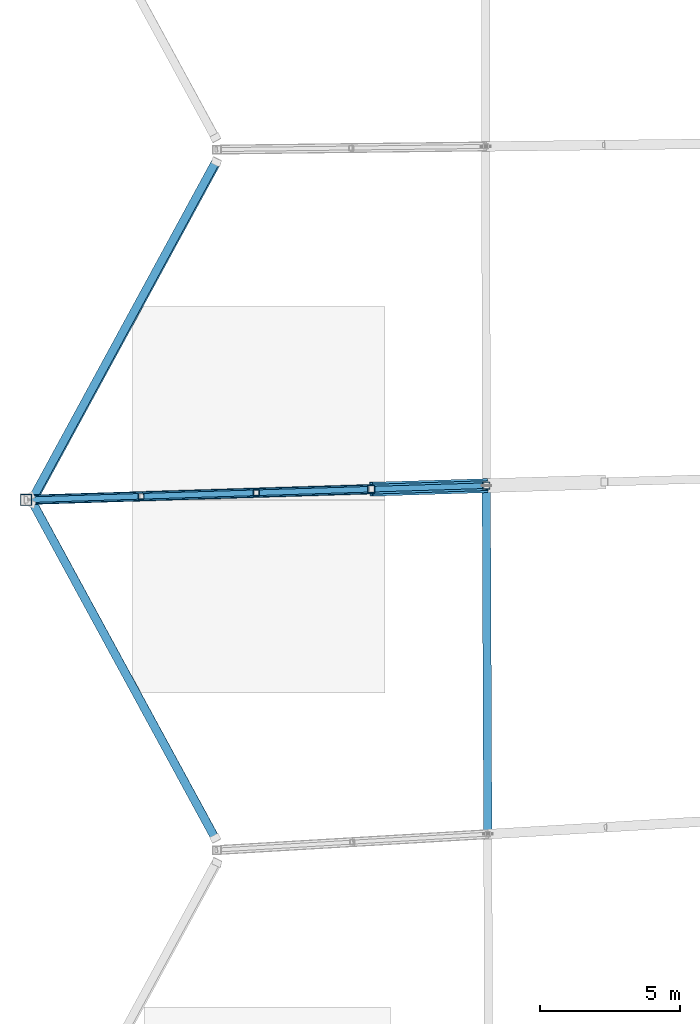
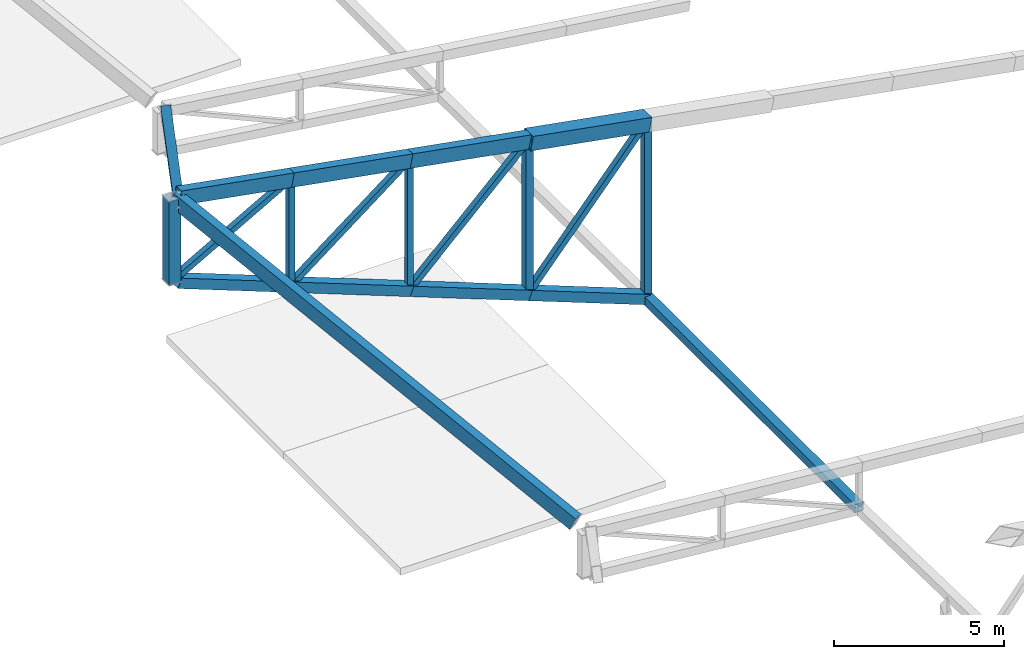
# One storey, part 34 of 188: 18 members, 2 beams.
"""IFC4 building model written with IfcOpenShell, lengths in metres."""

from ifc_helpers import new_model, si_unit, direction, frame, origin, origin_2d, place, context, subcontext, project, spatial, hollow_rectangle, extrude, material, material_profile, profile_set, type_object, element, save


model = new_model("IFC4")

# Units and contexts
model_context = context("Model", 3, precision=1e-05, world=origin(), true_north=direction((0.0, 1.0)))
body_context = subcontext(model_context, "Body", "Model", "MODEL_VIEW")
ifc_project = project(units=[si_unit("LENGTHUNIT", "METRE"), si_unit("AREAUNIT", "SQUARE_METRE"), si_unit("VOLUMEUNIT", "CUBIC_METRE"), si_unit("PLANEANGLEUNIT", "RADIAN"), si_unit("MASSUNIT", "GRAM", prefix="KILO")], contexts=[model_context])

# Site, building, storey
site_placement = place(None, origin())
site = spatial("IfcSite", under=ifc_project, at=site_placement, CompositionType="ELEMENT")
building_placement = place(site_placement, origin())
building = spatial("IfcBuilding", under=site, at=building_placement, Name="Meseta Stadium", CompositionType="ELEMENT")
storey_placement = place(building_placement, frame((0.0, 0.0, 30.0)))
storey = spatial("IfcBuildingStorey", under=building, at=storey_placement, Name="ROOF", CompositionType="ELEMENT", Elevation=30.0)

# Beams
ifc_material_1 = material(Name="Steel S355", Category="steel")
ifc_material_profile_1 = material_profile(ifc_material_1, hollow_rectangle(XDim=0.300048828125, YDim=0.5, WallThickness=0.01611328125, at=origin_2d()), Name="RHS 500x300x16")
ifc_profile_set_1 = profile_set([ifc_material_profile_1], Name="Steel S355")
beam_type = type_object("IfcBeamType", Name="RHS 500x300x16 rim ring beam", PredefinedType="BEAM", material=ifc_profile_set_1)
for number, where, z_axis, x_axis, name in (
    (1, (-94.612548828125, -6.690185546875, 3.795654296875), (-0.43116895441, -0.792582276806, 0.43116895441), (0.893501221978, -0.441536223172, 0.081861651284), "RIM RING BEAM 34"),
    (2, (-101.275390625, -18.6494140625, 10.406494140625), (0.43116895441, -0.792582276806, -0.43116895441), (0.881143314214, 0.472690995089, 0.012234499511), "RIM RING BEAM 35"),
):
    element("IfcBeam", number, at=place(storey_placement, frame(where, z_axis=z_axis, x_axis=x_axis)), inside=storey, type_object=beam_type, Name=name, PredefinedType="BEAM", context=body_context, shape_type="SweptSolid", body=[
        extrude(hollow_rectangle(XDim=0.300048828125, YDim=0.5, WallThickness=0.01611328125, at=origin_2d()), origin(), (0.0, 0.0, 1.0), 15.361328125),
    ])

# Members
ifc_material_2 = material(Name="Steel S355", Category="steel")
ifc_material_profile_2 = material_profile(ifc_material_2, hollow_rectangle(XDim=0.300048828125, YDim=0.5, WallThickness=0.01611328125, at=origin_2d()), Name="RHS 500x300x16")
ifc_profile_set_2 = profile_set([ifc_material_profile_2], Name="Steel S355")
member_type_1 = type_object("IfcMemberType", Name="RHS 500x300x16 top chord", PredefinedType="CHORD", material=ifc_profile_set_2)
for number, where, z_axis, x_axis, name in (
    (3, (-89.083984375, -18.3701171875, 8.013427734375), (-0.979749392176, -0.030240257778, 0.197930935785), (0.030850607166, -0.999524006734, 0.0), "ROOF TRUSS RT-34 top chord"),
    (4, (-93.189208984375, -18.496826171875, 8.8427734375), (-0.979764748905, -0.030180669596, 0.197864003763), (0.030789391844, -0.999525894287, 0.0), "ROOF TRUSS RT-34 top chord"),
):
    element("IfcMember", number, at=place(storey_placement, frame(where, z_axis=z_axis, x_axis=x_axis)), inside=storey, type_object=member_type_1, Name=name, PredefinedType="CHORD", context=body_context, shape_type="SweptSolid", body=[
        extrude(hollow_rectangle(XDim=0.300048828125, YDim=0.5, WallThickness=0.01611328125, at=origin_2d()), origin(), (0.0, 0.0, 1.0), 4.190185546875),
    ])
member_1_placement = place(storey_placement, frame((-97.294677734375, -18.623291015625, 9.671875), z_axis=(-0.979749581213, -0.030225210337, 0.197932298459), x_axis=(0.030835264673, -0.999524480167, 0.0)))
element("IfcMember", 5, at=member_1_placement, inside=storey, type_object=member_type_1, Name="ROOF TRUSS RT-34 top chord", PredefinedType="CHORD", context=body_context, shape_type="SweptSolid", body=[
    extrude(hollow_rectangle(XDim=0.300048828125, YDim=0.5, WallThickness=0.01611328125, at=origin_2d()), origin(), (0.0, 0.0, 1.0), 3.990234375),
])
ifc_material_3 = material(Name="Steel S355", Category="steel")
ifc_material_profile_3 = material_profile(ifc_material_3, hollow_rectangle(XDim=0.199951171875, YDim=0.199951171875, WallThickness=0.008056640625, at=origin_2d()), Name="SHS 200x200x8")
ifc_profile_set_3 = profile_set([ifc_material_profile_3], Name="Steel S355")
member_type_2 = type_object("IfcMemberType", Name="SHS 200x200x8 diagonal", PredefinedType="BRACE", material=ifc_profile_set_3)
member_2_placement = place(storey_placement, frame((-84.978515625, -18.24365234375, 7.184326171875), z_axis=(-0.660045261255, -0.020332031716, -0.750950638578), x_axis=(0.030789391844, -0.999525894287, 0.0)))
element("IfcMember", 6, at=member_2_placement, inside=storey, type_object=member_type_2, Name="ROOF TRUSS RT-34 diagonal", PredefinedType="BRACE", context=body_context, shape_type="SweptSolid", body=[
    extrude(hollow_rectangle(XDim=0.199951171875, YDim=0.199951171875, WallThickness=0.008056640625, at=origin_2d()), origin(), (0.0, 0.0, 1.0), 6.219970703125),
])
member_3_placement = place(storey_placement, frame((-89.083984375, -18.3701171875, 8.013427734375), z_axis=(-0.730349310361, -0.022542449722, -0.682701781758), x_axis=(0.030850607166, -0.999524006734, 0.0)))
element("IfcMember", 7, at=member_3_placement, inside=storey, type_object=member_type_2, Name="ROOF TRUSS RT-34 diagonal", PredefinedType="BRACE", context=body_context, shape_type="SweptSolid", body=[
    extrude(hollow_rectangle(XDim=0.199951171875, YDim=0.199951171875, WallThickness=0.008056640625, at=origin_2d()), origin(), (0.0, 0.0, 1.0), 5.620849609375),
])
member_4_placement = place(storey_placement, frame((-93.189208984375, -18.496826171875, 8.8427734375), z_axis=(-0.80676713297, -0.024851651694, -0.590346668126), x_axis=(0.030789391844, -0.999525894287, 0.0)))
element("IfcMember", 8, at=member_4_placement, inside=storey, type_object=member_type_2, Name="ROOF TRUSS RT-34 diagonal", PredefinedType="BRACE", context=body_context, shape_type="SweptSolid", body=[
    extrude(hollow_rectangle(XDim=0.199951171875, YDim=0.199951171875, WallThickness=0.008056640625, at=origin_2d()), origin(), (0.0, 0.0, 1.0), 5.0888671875),
])
member_5_placement = place(storey_placement, frame((-97.294677734375, -18.623291015625, 9.671875), z_axis=(-0.883699315856, -0.027275643469, -0.467259626362), x_axis=(0.030850607166, -0.999524006734, 0.0)))
element("IfcMember", 9, at=member_5_placement, inside=storey, type_object=member_type_2, Name="ROOF TRUSS RT-34 diagonal", PredefinedType="BRACE", context=body_context, shape_type="SweptSolid", body=[
    extrude(hollow_rectangle(XDim=0.199951171875, YDim=0.199951171875, WallThickness=0.008056640625, at=origin_2d()), origin(), (0.0, 0.0, 1.0), 4.6455078125),
])
ifc_material_4 = material(Name="Steel S355", Category="steel")
ifc_material_profile_4 = material_profile(ifc_material_4, hollow_rectangle(XDim=0.199951171875, YDim=0.199951171875, WallThickness=0.008056640625, at=origin_2d()), Name="SHS 200x200x8")
ifc_profile_set_4 = profile_set([ifc_material_profile_4], Name="Steel S355")
member_type_3 = type_object("IfcMemberType", Name="SHS 200x200x8 post", PredefinedType="POST", material=ifc_profile_set_4)
member_6_placement = place(storey_placement, frame((-93.189208984375, -18.496826171875, 4.176025390625), z_axis=(0.0, 0.0, 1.0), x_axis=(1.0, 0.0, 0.0)))
element("IfcMember", 10, at=member_6_placement, inside=storey, type_object=member_type_3, Name="ROOF TRUSS RT-34 post", PredefinedType="POST", context=body_context, shape_type="SweptSolid", body=[
    extrude(hollow_rectangle(XDim=0.199951171875, YDim=0.199951171875, WallThickness=0.008056640625, at=origin_2d()), origin(), (0.0, 0.0, 1.0), 4.666748046875),
])
member_7_placement = place(storey_placement, frame((-97.294677734375, -18.623291015625, 5.838623046875), z_axis=(0.0, 0.0, 1.0), x_axis=(1.0, 0.0, 0.0)))
element("IfcMember", 11, at=member_7_placement, inside=storey, type_object=member_type_3, Name="ROOF TRUSS RT-34 post", PredefinedType="POST", context=body_context, shape_type="SweptSolid", body=[
    extrude(hollow_rectangle(XDim=0.199951171875, YDim=0.199951171875, WallThickness=0.008056640625, at=origin_2d()), origin(), (0.0, 0.0, 1.0), 3.833251953125),
])
ifc_material_5 = material(Name="Steel S355", Category="steel")
ifc_material_profile_5 = material_profile(ifc_material_5, hollow_rectangle(XDim=0.25, YDim=0.25, WallThickness=0.010009765625, at=origin_2d()), Name="SHS 250x250x10")
ifc_profile_set_5 = profile_set([ifc_material_profile_5], Name="Steel S355")
member_type_4 = type_object("IfcMemberType", Name="SHS 250x250x10 post", PredefinedType="POST", material=ifc_profile_set_5)
member_8_placement = place(storey_placement, frame((-84.978515625, -18.24365234375, 0.85107421875), z_axis=(0.0, 0.0, 1.0), x_axis=(1.0, 0.0, 0.0)))
element("IfcMember", 12, at=member_8_placement, inside=storey, type_object=member_type_4, Name="ROOF TRUSS RT-34 post", PredefinedType="POST", context=body_context, shape_type="SweptSolid", body=[
    extrude(hollow_rectangle(XDim=0.25, YDim=0.25, WallThickness=0.010009765625, at=origin_2d()), origin(), (0.0, 0.0, 1.0), 6.333251953125),
])
member_9_placement = place(storey_placement, frame((-89.083984375, -18.3701171875, 2.513427734375), z_axis=(0.0, 0.0, 1.0), x_axis=(1.0, 0.0, 0.0)))
element("IfcMember", 13, at=member_9_placement, inside=storey, type_object=member_type_4, Name="ROOF TRUSS RT-34 post", PredefinedType="POST", context=body_context, shape_type="SweptSolid", body=[
    extrude(hollow_rectangle(XDim=0.25, YDim=0.25, WallThickness=0.010009765625, at=origin_2d()), origin(), (0.0, 0.0, 1.0), 5.5),
])
ifc_material_6 = material(Name="Steel S355", Category="steel")
ifc_material_profile_6 = material_profile(ifc_material_6, hollow_rectangle(XDim=0.300048828125, YDim=0.300048828125, WallThickness=0.010009765625, at=origin_2d()), Name="SHS 300x300x10")
ifc_profile_set_6 = profile_set([ifc_material_profile_6], Name="Steel S355")
member_type_5 = type_object("IfcMemberType", Name="SHS 300x300x10 pivot strut", PredefinedType="STRUT", material=ifc_profile_set_6)
member_10_placement = place(storey_placement, frame((-84.978515625, -18.24365234375, 0.85107421875), z_axis=(0.004278965373, -0.999982430596, -0.004102310839), x_axis=(0.999990845032, 0.004279001378, 0.0)))
element("IfcMember", 14, at=member_10_placement, inside=storey, type_object=member_type_5, Name="ROOF PIVOT STRUT RT-34/35", PredefinedType="STRUT", context=body_context, shape_type="SweptSolid", body=[
    extrude(hollow_rectangle(XDim=0.300048828125, YDim=0.300048828125, WallThickness=0.010009765625, at=origin_2d()), origin(), (0.0, 0.0, 1.0), 12.438232421875),
])
ifc_material_7 = material(Name="Steel S355", Category="steel")
ifc_material_profile_7 = material_profile(ifc_material_7, hollow_rectangle(XDim=0.35009765625, YDim=0.35009765625, WallThickness=0.010009765625, at=origin_2d()), Name="SHS 350x350x10")
ifc_profile_set_7 = profile_set([ifc_material_profile_7], Name="Steel S355")
member_type_6 = type_object("IfcMemberType", Name="SHS 350x350x10 bottom chord", PredefinedType="CHORD", material=ifc_profile_set_7)
member_11_placement = place(storey_placement, frame((-84.978515625, -18.24365234375, 0.85107421875), z_axis=(-0.92652083913, -0.028540544402, 0.375159395435), x_axis=(0.030789391844, -0.999525894287, 0.0)))
element("IfcMember", 15, at=member_11_placement, inside=storey, type_object=member_type_6, Name="ROOF TRUSS RT-34 bottom chord", PredefinedType="CHORD", context=body_context, shape_type="SweptSolid", body=[
    extrude(hollow_rectangle(XDim=0.35009765625, YDim=0.35009765625, WallThickness=0.010009765625, at=origin_2d()), origin(), (0.0, 0.0, 1.0), 4.43115234375),
])
member_12_placement = place(storey_placement, frame((-89.083984375, -18.3701171875, 2.513427734375), z_axis=(-0.926492426412, -0.028596465615, 0.37522530026), x_axis=(0.030850607166, -0.999524006734, 0.0)))
element("IfcMember", 16, at=member_12_placement, inside=storey, type_object=member_type_6, Name="ROOF TRUSS RT-34 bottom chord", PredefinedType="CHORD", context=body_context, shape_type="SweptSolid", body=[
    extrude(hollow_rectangle(XDim=0.35009765625, YDim=0.35009765625, WallThickness=0.010009765625, at=origin_2d()), origin(), (0.0, 0.0, 1.0), 4.430908203125),
])
member_13_placement = place(storey_placement, frame((-93.189208984375, -18.496826171875, 4.176025390625), z_axis=(-0.926501686786, -0.028539954434, 0.375206736858), x_axis=(0.030789391844, -0.999525894287, 0.0)))
element("IfcMember", 17, at=member_13_placement, inside=storey, type_object=member_type_6, Name="ROOF TRUSS RT-34 bottom chord", PredefinedType="CHORD", context=body_context, shape_type="SweptSolid", body=[
    extrude(hollow_rectangle(XDim=0.35009765625, YDim=0.35009765625, WallThickness=0.010009765625, at=origin_2d()), origin(), (0.0, 0.0, 1.0), 4.43115234375),
])
member_14_placement = place(storey_placement, frame((-97.294677734375, -18.623291015625, 5.838623046875), z_axis=(-0.92648391764, -0.028620828547, 0.375244451695), x_axis=(0.030877148781, -0.999523187166, 0.0)))
element("IfcMember", 18, at=member_14_placement, inside=storey, type_object=member_type_6, Name="ROOF TRUSS RT-34 bottom chord", PredefinedType="CHORD", context=body_context, shape_type="SweptSolid", body=[
    extrude(hollow_rectangle(XDim=0.35009765625, YDim=0.35009765625, WallThickness=0.010009765625, at=origin_2d()), origin(), (0.0, 0.0, 1.0), 4.23095703125),
])
ifc_material_8 = material(Name="Steel S355", Category="steel")
ifc_material_profile_8 = material_profile(ifc_material_8, hollow_rectangle(XDim=0.39990234375, YDim=0.39990234375, WallThickness=0.01416015625, at=origin_2d()), Name="SHS 400x400x14.2")
ifc_profile_set_8 = profile_set([ifc_material_profile_8], Name="Steel S355")
member_type_7 = type_object("IfcMemberType", Name="SHS 400x400x14.2 rim post", PredefinedType="POST", material=ifc_profile_set_8)
member_15_placement = place(storey_placement, frame((-101.39990234375, -18.75, 7.501220703125), z_axis=(0.0, 0.0, 1.0), x_axis=(1.0, 0.0, 0.0)))
element("IfcMember", 19, at=member_15_placement, inside=storey, type_object=member_type_7, Name="ROOF TRUSS RT-34 post", PredefinedType="POST", context=body_context, shape_type="SweptSolid", body=[
    extrude(hollow_rectangle(XDim=0.39990234375, YDim=0.39990234375, WallThickness=0.01416015625, at=origin_2d()), origin(), (0.0, 0.0, 1.0), 3.0),
])
ifc_material_9 = material(Name="Steel S355", Category="steel")
ifc_material_profile_9 = material_profile(ifc_material_9, hollow_rectangle(XDim=0.5, YDim=0.5, WallThickness=0.01611328125, at=origin_2d()), Name="SHS 500x500x16")
ifc_profile_set_9 = profile_set([ifc_material_profile_9], Name="Steel S355")
member_type_8 = type_object("IfcMemberType", Name="SHS 500x500x16 top chord", PredefinedType="CHORD", material=ifc_profile_set_9)
member_16_placement = place(storey_placement, frame((-84.978515625, -18.24365234375, 7.184326171875), z_axis=(-0.979764748905, -0.030180669596, 0.197864003763), x_axis=(0.030789391844, -0.999525894287, 0.0)))
element("IfcMember", 20, at=member_16_placement, inside=storey, type_object=member_type_8, Name="ROOF TRUSS RT-34 top chord", PredefinedType="CHORD", context=body_context, shape_type="SweptSolid", body=[
    extrude(hollow_rectangle(XDim=0.5, YDim=0.5, WallThickness=0.01611328125, at=origin_2d()), origin(), (0.0, 0.0, 1.0), 4.190185546875),
])

save(model, "model.ifc")
